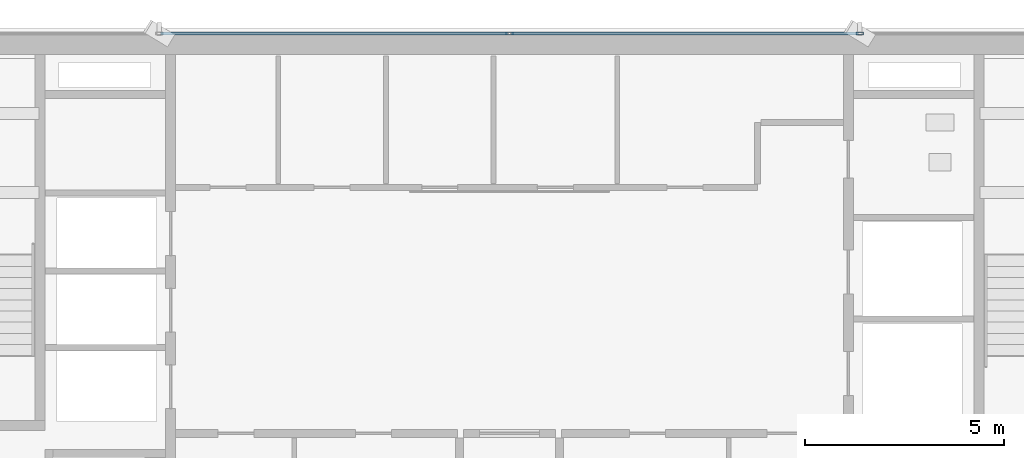
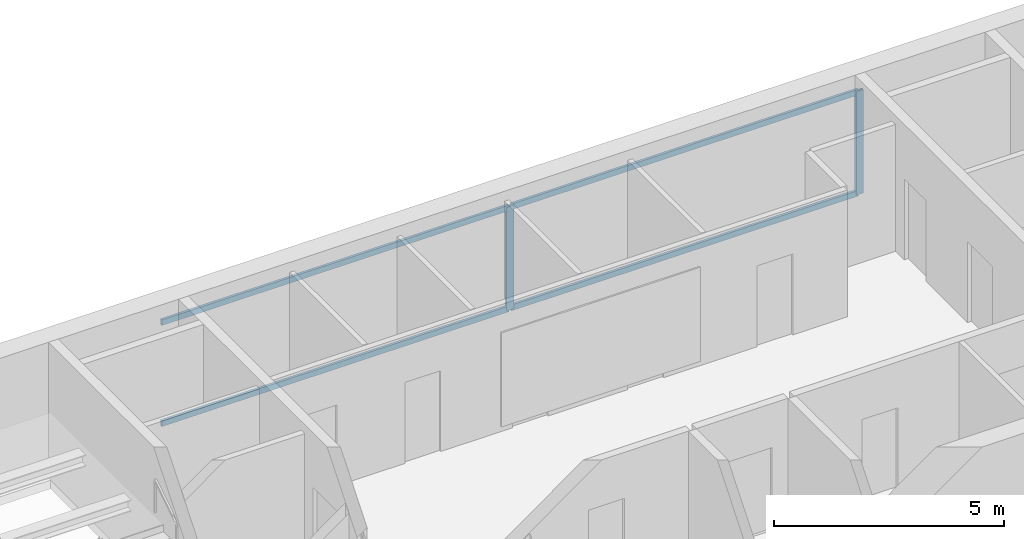
# One storey, part 12 of 22: 6 members, 1 element without a shape of its own.
"""IFC4 building model written with IfcOpenShell, lengths in metres."""

from ifc_helpers import new_model, si_unit, direction, frame, origin, origin_2d, place, context, subcontext, project, spatial, hollow_rectangle, extrude, source, transform, mapped, material, layer, layer_set, material_profile, profile_set, type_object, element, aggregate, save


model = new_model("IFC4")

# Units and contexts
model_context = context("Model", 3, precision=1e-05, world=origin(), true_north=direction((0.0, 1.0)))
body_context = subcontext(model_context, "Body", "Model", "MODEL_VIEW")
ifc_project = project(units=[si_unit("LENGTHUNIT", "METRE"), si_unit("AREAUNIT", "SQUARE_METRE"), si_unit("VOLUMEUNIT", "CUBIC_METRE"), si_unit("PLANEANGLEUNIT", "RADIAN"), si_unit("MASSUNIT", "GRAM", prefix="KILO")], contexts=[model_context])

# Site, building, storey
site_placement = place(None, origin())
site = spatial("IfcSite", under=ifc_project, at=site_placement, CompositionType="ELEMENT")
building_placement = place(site_placement, origin())
building = spatial("IfcBuilding", under=site, at=building_placement, Name="Sumidabori Civic Tower", CompositionType="ELEMENT")
storey_placement = place(building_placement, frame((0.0, 0.0, 286.39990234375)))
storey = spatial("IfcBuildingStorey", under=building, at=storey_placement, Name="L75", CompositionType="ELEMENT", Elevation=286.39990234375)

# Curtain wall, members
ifc_material = material(Name="Anodised Bronze Aluminium AW-6063-T6", Category="aluminium")
ifc_layer = layer(ifc_material, 0.179931640625, Name="Anodised Bronze Aluminium AW-6063-T6")
ifc_layer_set = layer_set([ifc_layer], Name="Anodised Bronze Aluminium AW-6063-T6")
curtain_wall_type = type_object("IfcCurtainWallType", Name="CW-SYS-6", PredefinedType="NOTDEFINED", material=ifc_layer_set)
curtain_wall_placement = place(storey_placement, origin())
curtain_wall = element("IfcCurtainWall", 1, at=curtain_wall_placement, inside=storey, type_object=curtain_wall_type, Name="Curtain Wall CW:L75:R07", PredefinedType="NOTDEFINED")
ifc_material_profile_1 = material_profile(ifc_material, hollow_rectangle(XDim=0.070068359375, YDim=0.179931640625, WallThickness=0.006103515625, at=origin_2d()), Name="ALU MULLION 180x70")
ifc_profile_set_1 = profile_set([ifc_material_profile_1], Name="Anodised Bronze Aluminium AW-6063-T6")
member_type_1 = type_object("IfcMemberType", Name="CW-MUL-180", PredefinedType="MULLION", material=ifc_profile_set_1)
shared_shape_1 = source(origin(), body_context, "Body", "SweptSolid", [
    extrude(hollow_rectangle(XDim=0.070068359375, YDim=0.179931640625, WallThickness=0.006103515625, at=origin_2d()), origin(), (0.0, 0.0, 1.0), 2.75),
])
member_1_placement = place(storey_placement, frame((8.784912109375, 24.080078125, 0.0), z_axis=(0.0, 0.0, 1.0), x_axis=(0.0, -1.0, 0.0)))
member_1 = element("IfcMember", 2, at=member_1_placement, type_object=member_type_1, Name="CW-6 mullion 2", PredefinedType="MULLION", context=body_context, shape_type="MappedRepresentation", body=[
    mapped(shared_shape_1, transform((0.0, 0.0, 0.0), x_axis=(1.0, 0.0, 0.0), y_axis=(0.0, 1.0, 0.0), z_axis=(0.0, 0.0, 1.0), scale=1.0)),
])
member_2_placement = place(storey_placement, frame((0.0, 24.080078125, 0.0), z_axis=(0.0, 0.0, 1.0), x_axis=(0.0, -1.0, 0.0)))
member_2 = element("IfcMember", 3, at=member_2_placement, type_object=member_type_1, Name="CW-6 mullion 3", PredefinedType="MULLION", context=body_context, shape_type="MappedRepresentation", body=[
    mapped(shared_shape_1, transform((0.0, 0.0, 0.0), x_axis=(1.0, 0.0, 0.0), y_axis=(0.0, 1.0, 0.0), z_axis=(0.0, 0.0, 1.0), scale=1.0)),
])
ifc_material_profile_2 = material_profile(ifc_material, hollow_rectangle(XDim=0.06494140625, YDim=0.14990234375, WallThickness=0.0048828125, at=origin_2d()), Name="ALU TRANSOM 150x65")
ifc_profile_set_2 = profile_set([ifc_material_profile_2], Name="Anodised Bronze Aluminium AW-6063-T6")
member_type_2 = type_object("IfcMemberType", Name="CW-TRN-150", PredefinedType="USERDEFINED", material=ifc_profile_set_2)
shared_shape_2 = source(origin(), body_context, "Body", "SweptSolid", [
    extrude(hollow_rectangle(XDim=0.06494140625, YDim=0.14990234375, WallThickness=0.0048828125, at=origin_2d()), origin(), (0.0, 0.0, 1.0), 8.715087890625),
])
member_3_placement = place(storey_placement, frame((8.75, 24.080078125, 0.03271484375), z_axis=(-1.0, 0.0, 0.0), x_axis=(0.0, -1.0, 0.0)))
member_3 = element("IfcMember", 4, at=member_3_placement, type_object=member_type_2, Name="CW-6 transom 2.1", ObjectType="TRANSOM", PredefinedType="USERDEFINED", context=body_context, shape_type="MappedRepresentation", body=[
    mapped(shared_shape_2, transform((0.0, 0.0, 0.0), x_axis=(1.0, 0.0, 0.0), y_axis=(0.0, 1.0, 0.0), z_axis=(0.0, 0.0, 1.0), scale=1.0)),
])
member_4_placement = place(storey_placement, frame((8.75, 24.080078125, 2.717529296875), z_axis=(-1.0, 0.0, 0.0), x_axis=(0.0, -1.0, 0.0)))
member_4 = element("IfcMember", 5, at=member_4_placement, type_object=member_type_2, Name="CW-6 transom 2.2", ObjectType="TRANSOM", PredefinedType="USERDEFINED", context=body_context, shape_type="MappedRepresentation", body=[
    mapped(shared_shape_2, transform((0.0, 0.0, 0.0), x_axis=(1.0, 0.0, 0.0), y_axis=(0.0, 1.0, 0.0), z_axis=(0.0, 0.0, 1.0), scale=1.0)),
])
member_5_placement = place(storey_placement, frame((-0.034912109375, 24.080078125, 0.03271484375), z_axis=(-1.0, 0.0, 0.0), x_axis=(0.0, -1.0, 0.0)))
member_5 = element("IfcMember", 6, at=member_5_placement, type_object=member_type_2, Name="CW-6 transom 3.1", ObjectType="TRANSOM", PredefinedType="USERDEFINED", context=body_context, shape_type="MappedRepresentation", body=[
    mapped(shared_shape_2, transform((0.0, 0.0, 0.0), x_axis=(1.0, 0.0, 0.0), y_axis=(0.0, 1.0, 0.0), z_axis=(0.0, 0.0, 1.0), scale=1.0)),
])
member_6_placement = place(storey_placement, frame((-0.034912109375, 24.080078125, 2.717529296875), z_axis=(-1.0, 0.0, 0.0), x_axis=(0.0, -1.0, 0.0)))
member_6 = element("IfcMember", 7, at=member_6_placement, type_object=member_type_2, Name="CW-6 transom 3.2", ObjectType="TRANSOM", PredefinedType="USERDEFINED", context=body_context, shape_type="MappedRepresentation", body=[
    mapped(shared_shape_2, transform((0.0, 0.0, 0.0), x_axis=(1.0, 0.0, 0.0), y_axis=(0.0, 1.0, 0.0), z_axis=(0.0, 0.0, 1.0), scale=1.0)),
])
aggregate(curtain_wall, [member_1, member_2, member_3, member_4, member_5, member_6])

save(model, "model.ifc")
